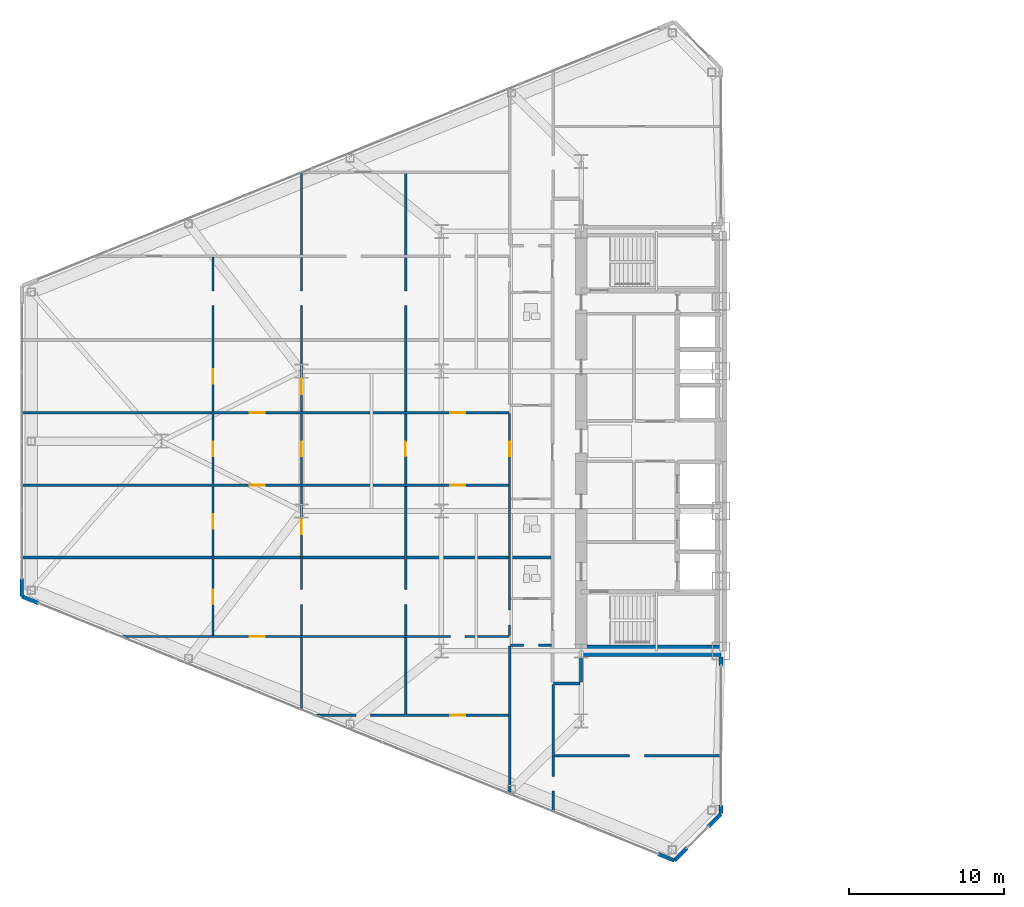
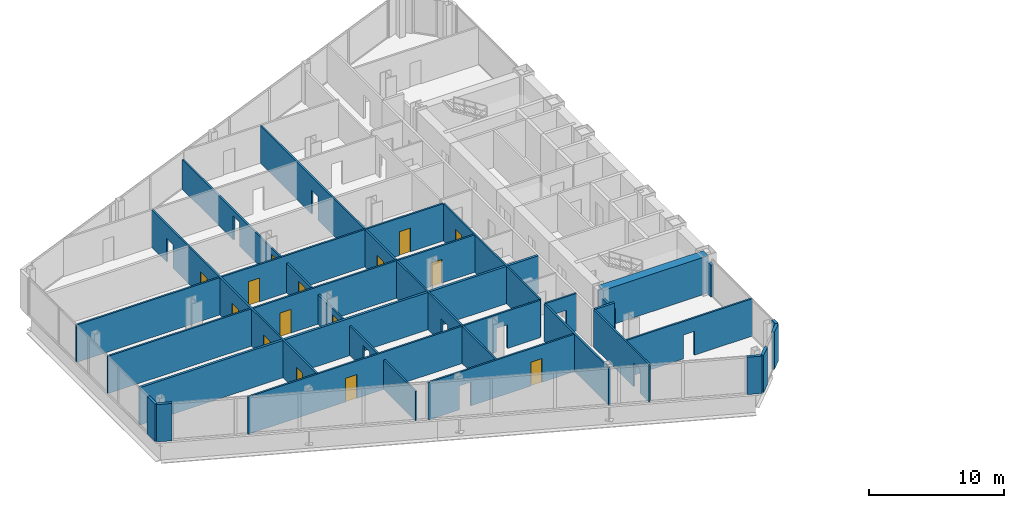
# One storey, part 18 of 26: 23 walls, 15 doors, 26 openings.
"""IFC4 building model written with IfcOpenShell, lengths in metres."""

from ifc_helpers import new_model, si_unit, direction, frame, frame_2d, origin, place, context, subcontext, project, spatial, rectangle, extrude, source, transform, mapped, material, layer, layer_set, type_object, type_shapes, element, fill, save


model = new_model("IFC4")

# Units and contexts
model_context = context("Model", 3, precision=1e-05, world=origin(), true_north=direction((0.0, 1.0)))
body_context = subcontext(model_context, "Body", "Model", "MODEL_VIEW")
ifc_project = project(units=[si_unit("LENGTHUNIT", "METRE"), si_unit("AREAUNIT", "SQUARE_METRE"), si_unit("VOLUMEUNIT", "CUBIC_METRE"), si_unit("PLANEANGLEUNIT", "RADIAN"), si_unit("MASSUNIT", "GRAM", prefix="KILO")], contexts=[model_context])

# Site, building, storey
site_placement = place(None, origin())
site = spatial("IfcSite", under=ifc_project, at=site_placement, CompositionType="ELEMENT")
building_placement = place(site_placement, origin())
building = spatial("IfcBuilding", under=site, at=building_placement, Name="Seokmaru Belvedere", CompositionType="ELEMENT")
storey_placement = place(building_placement, frame((0.0, 0.0, 18.89990234375)))
storey = spatial("IfcBuildingStorey", under=building, at=storey_placement, Name="L04", CompositionType="ELEMENT", Elevation=18.89990234375)

# Wall, opening
ifc_material_1 = material(Name="Fire-Rated Gypsum Shaftwall")
ifc_layer_1 = layer(ifc_material_1, 0.14990234375)
ifc_layer_set_1 = layer_set([ifc_layer_1], Name="Fire-Rated Gypsum Shaftwall")
wall_type_1 = type_object("IfcWallType", Name="Apartment Fire-Acoustic Room Partition 150", PredefinedType="PARTITIONING", material=ifc_layer_set_1)
wall_1_placement = place(storey_placement, frame((-38.25, -20.25, 0.0), z_axis=(0.0, 0.0, 1.0), x_axis=(1.0, 0.0, 0.0)))
wall_1 = element("IfcWall", 1, at=wall_1_placement, inside=storey, type_object=wall_type_1, Name="L04 Interior Partition 001", PredefinedType="PARTITIONING", context=body_context, shape_type="SweptSolid", body=[
    extrude(rectangle(XDim=10.784912109375, YDim=0.14990234375, at=frame_2d((5.392578125, 0.0))), origin(), (0.0, 0.0, 1.0), 3.380126953125),
])
opening_1_placement = place(wall_1_placement, frame((4.875, 0.0, 0.0)))
element("IfcOpeningElement", 2, at=opening_1_placement, cuts=wall_1, Name="L04 Cased Opening 013", PredefinedType="OPENING", context=body_context, shape_type="SweptSolid", body=[
    extrude(rectangle(XDim=0.949951171875, YDim=2.14990234375, at=frame_2d((0.47509765625, 1.074951171875))), frame((0.0, 0.0849609375, 0.0), z_axis=(0.0, -1.0, 0.0), x_axis=(1.0, 0.0, 0.0)), (0.0, 0.0, 1.0), 0.169921875),
])

# Wall, openings, door
wall_2_placement = place(storey_placement, frame((-53.659912109375, -17.639892578125, 0.0), z_axis=(0.0, 0.0, 1.0), x_axis=(1.0, 0.0, 0.0)))
wall_2 = element("IfcWall", 3, at=wall_2_placement, inside=storey, type_object=wall_type_1, Name="L04 Interior Partition 003", PredefinedType="PARTITIONING", context=body_context, shape_type="SweptSolid", body=[
    extrude(rectangle(XDim=12.510009765625, YDim=0.14990234375, at=frame_2d((6.2548828125, 0.0))), origin(), (0.0, 0.0, 1.0), 3.380126953125),
])
opening_2_placement = place(wall_2_placement, frame((8.735107421875, 0.0, 0.0)))
opening_2 = element("IfcOpeningElement", 4, at=opening_2_placement, cuts=wall_2, Name="Opening D05", PredefinedType="OPENING", context=body_context, shape_type="SweptSolid", body=[
    extrude(rectangle(XDim=0.949951171875, YDim=2.14990234375, at=frame_2d((0.47509765625, 1.074951171875))), frame((0.0, 0.0849609375, 0.0), z_axis=(0.0, -1.0, 0.0), x_axis=(1.0, 0.0, 0.0)), (0.0, 0.0, 1.0), 0.169921875),
])
opening_3_placement = place(wall_2_placement, frame((2.658935546875, 0.0, 0.0)))
element("IfcOpeningElement", 5, at=opening_3_placement, cuts=wall_2, Name="L04 Cased Opening 011", PredefinedType="OPENING", context=body_context, shape_type="SweptSolid", body=[
    extrude(rectangle(XDim=0.949951171875, YDim=2.14990234375, at=frame_2d((0.47509765625, 1.074951171875))), frame((0.0, 0.0849609375, 0.0), z_axis=(0.0, -1.0, 0.0), x_axis=(1.0, 0.0, 0.0)), (0.0, 0.0, 1.0), 0.169921875),
])
ifc_material_2 = material(Name="Engineered White Oak Timber", Category="wood")
door_type = type_object("IfcDoorType", Name="Apartment Interior Fire-Rated Oak Door 950x2150", OperationType="NOTDEFINED", PredefinedType="DOOR", material=ifc_material_2)
shared_shape = source(origin(), body_context, "Body", "SweptSolid", [
    extrude(rectangle(XDim=0.949951171875, YDim=2.14990234375, at=frame_2d((0.47509765625, 1.074951171875))), frame((0.0, 0.02490234375, 0.0), z_axis=(0.0, -1.0, 0.0), x_axis=(1.0, 0.0, 0.0)), (0.0, 0.0, 1.0), 0.050048828125),
])
type_shapes(door_type, [shared_shape])
door_1_placement = place(opening_2_placement, origin())
door_1 = element("IfcDoor", 6, at=door_1_placement, inside=storey, type_object=door_type, Name="L04 Interior Door 010", OperationType="SINGLE_SWING_LEFT", OverallHeight=2.14990234375, OverallWidth=0.949951171875, PredefinedType="DOOR", context=body_context, shape_type="MappedRepresentation", body=[
    mapped(shared_shape, transform((0.0, 0.0, 0.0), scale=1.0)),
])
fill(opening_2, door_1)

# Wall, opening
wall_3_placement = place(storey_placement, frame((-41.050048828125, -13.139892578125, 0.0), z_axis=(0.0, 0.0, 1.0), x_axis=(1.0, 0.0, 0.0)))
wall_3 = element("IfcWall", 7, at=wall_3_placement, inside=storey, type_object=wall_type_1, Name="L04 Interior Partition 009", PredefinedType="PARTITIONING", context=body_context, shape_type="SweptSolid", body=[
    extrude(rectangle(XDim=2.650146484375, YDim=0.14990234375, at=frame_2d((1.3251953125, 0.0))), origin(), (0.0, 0.0, 1.0), 3.380126953125),
])
opening_4_placement = place(wall_3_placement, frame((0.85009765625, 0.0, 0.0)))
element("IfcOpeningElement", 8, at=opening_4_placement, cuts=wall_3, Name="L04 Cased Opening 003", PredefinedType="OPENING", context=body_context, shape_type="SweptSolid", body=[
    extrude(rectangle(XDim=0.949951171875, YDim=2.14990234375, at=frame_2d((0.47509765625, 1.074951171875))), frame((0.0, 0.0849609375, 0.0), z_axis=(0.0, -1.0, 0.0), x_axis=(1.0, 0.0, 0.0)), (0.0, 0.0, 1.0), 0.169921875),
])

# Wall, openings, door
wall_4_placement = place(storey_placement, frame((-66.18603515625, -12.570068359375, 0.0), z_axis=(0.0, 0.0, 1.0), x_axis=(1.0, 0.0, 0.0)))
wall_4 = element("IfcWall", 9, at=wall_4_placement, inside=storey, type_object=wall_type_1, Name="L04 Interior Partition 010", PredefinedType="PARTITIONING", context=body_context, shape_type="SweptSolid", body=[
    extrude(rectangle(XDim=25.0361328125, YDim=0.14990234375, at=frame_2d((12.51806640625, 0.0))), origin(), (0.0, 0.0, 1.0), 3.380126953125),
])
opening_5_placement = place(wall_4_placement, frame((21.260986328125, 0.0, 0.0)))
element("IfcOpeningElement", 10, at=opening_5_placement, cuts=wall_4, Name="L04 Cased Opening 005", PredefinedType="OPENING", context=body_context, shape_type="SweptSolid", body=[
    extrude(rectangle(XDim=0.949951171875, YDim=2.14990234375, at=frame_2d((0.47509765625, 1.074951171875))), frame((0.0, 0.0849609375, 0.0), z_axis=(0.0, -1.0, 0.0), x_axis=(1.0, 0.0, 0.0)), (0.0, 0.0, 1.0), 0.169921875),
])
opening_6_placement = place(wall_4_placement, frame((8.361083984375, 0.0, 0.0)))
opening_6 = element("IfcOpeningElement", 11, at=opening_6_placement, cuts=wall_4, Name="Opening D05", PredefinedType="OPENING", context=body_context, shape_type="SweptSolid", body=[
    extrude(rectangle(XDim=0.949951171875, YDim=2.14990234375, at=frame_2d((0.47509765625, 1.074951171875))), frame((0.0, 0.0849609375, 0.0), z_axis=(0.0, -1.0, 0.0), x_axis=(1.0, 0.0, 0.0)), (0.0, 0.0, 1.0), 0.169921875),
])
door_2_placement = place(opening_6_placement, origin())
door_2 = element("IfcDoor", 12, at=door_2_placement, inside=storey, type_object=door_type, Name="L04 Interior Door 008", OperationType="SINGLE_SWING_LEFT", OverallHeight=2.14990234375, OverallWidth=0.949951171875, PredefinedType="DOOR", context=body_context, shape_type="MappedRepresentation", body=[
    mapped(shared_shape, transform((0.0, 0.0, 0.0), scale=1.0)),
])
fill(opening_6, door_2)

# Wall, openings, doors
wall_5_placement = place(storey_placement, frame((-72.534912109375, -2.830078125, 0.0), z_axis=(0.0, 0.0, 1.0), x_axis=(1.0, 0.0, 0.0)))
wall_5 = element("IfcWall", 13, at=wall_5_placement, inside=storey, type_object=wall_type_1, Name="L04 Interior Partition 018", PredefinedType="PARTITIONING", context=body_context, shape_type="SweptSolid", body=[
    extrude(rectangle(XDim=31.385009765625, YDim=0.14990234375, at=frame_2d((15.6923828125, 0.0))), origin(), (0.0, 0.0, 1.0), 3.380126953125),
])
opening_7_placement = place(wall_5_placement, frame((27.610107421875, 0.0, 0.0)))
opening_7 = element("IfcOpeningElement", 14, at=opening_7_placement, cuts=wall_5, Name="Opening D05", PredefinedType="OPENING", context=body_context, shape_type="SweptSolid", body=[
    extrude(rectangle(XDim=0.949951171875, YDim=2.14990234375, at=frame_2d((0.47509765625, 1.074951171875))), frame((0.0, 0.0849609375, 0.0), z_axis=(0.0, -1.0, 0.0), x_axis=(1.0, 0.0, 0.0)), (0.0, 0.0, 1.0), 0.169921875),
])
opening_8_placement = place(wall_5_placement, frame((14.7099609375, 0.0, 0.0)))
opening_8 = element("IfcOpeningElement", 15, at=opening_8_placement, cuts=wall_5, Name="Opening D05", PredefinedType="OPENING", context=body_context, shape_type="SweptSolid", body=[
    extrude(rectangle(XDim=0.949951171875, YDim=2.14990234375, at=frame_2d((0.47509765625, 1.074951171875))), frame((0.0, 0.0849609375, 0.0), z_axis=(0.0, -1.0, 0.0), x_axis=(1.0, 0.0, 0.0)), (0.0, 0.0, 1.0), 0.169921875),
])
door_3_placement = place(opening_7_placement, origin())
door_3 = element("IfcDoor", 16, at=door_3_placement, inside=storey, type_object=door_type, Name="L04 Interior Door 018", OperationType="SINGLE_SWING_LEFT", OverallHeight=2.14990234375, OverallWidth=0.949951171875, PredefinedType="DOOR", context=body_context, shape_type="MappedRepresentation", body=[
    mapped(shared_shape, transform((0.0, 0.0, 0.0), scale=1.0)),
])
fill(opening_7, door_3)
door_4_placement = place(opening_8_placement, origin())
door_4 = element("IfcDoor", 17, at=door_4_placement, inside=storey, type_object=door_type, Name="L04 Interior Door 022", OperationType="SINGLE_SWING_LEFT", OverallHeight=2.14990234375, OverallWidth=0.949951171875, PredefinedType="DOOR", context=body_context, shape_type="MappedRepresentation", body=[
    mapped(shared_shape, transform((0.0, 0.0, 0.0), scale=1.0)),
])
fill(opening_8, door_4)

wall_6_placement = place(storey_placement, frame((-72.534912109375, 1.830078125, 0.0), z_axis=(0.0, 0.0, 1.0), x_axis=(1.0, 0.0, 0.0)))
wall_6 = element("IfcWall", 18, at=wall_6_placement, inside=storey, type_object=wall_type_1, Name="L04 Interior Partition 021", PredefinedType="PARTITIONING", context=body_context, shape_type="SweptSolid", body=[
    extrude(rectangle(XDim=31.385009765625, YDim=0.14990234375, at=frame_2d((15.6923828125, 0.0))), origin(), (0.0, 0.0, 1.0), 3.380126953125),
])
opening_9_placement = place(wall_6_placement, frame((27.610107421875, 0.0, 0.0)))
opening_9 = element("IfcOpeningElement", 19, at=opening_9_placement, cuts=wall_6, Name="Opening D05", PredefinedType="OPENING", context=body_context, shape_type="SweptSolid", body=[
    extrude(rectangle(XDim=0.949951171875, YDim=2.14990234375, at=frame_2d((0.47509765625, 1.074951171875))), frame((0.0, 0.0849609375, 0.0), z_axis=(0.0, -1.0, 0.0), x_axis=(1.0, 0.0, 0.0)), (0.0, 0.0, 1.0), 0.169921875),
])
opening_10_placement = place(wall_6_placement, frame((14.7099609375, 0.0, 0.0)))
opening_10 = element("IfcOpeningElement", 20, at=opening_10_placement, cuts=wall_6, Name="Opening D05", PredefinedType="OPENING", context=body_context, shape_type="SweptSolid", body=[
    extrude(rectangle(XDim=0.949951171875, YDim=2.14990234375, at=frame_2d((0.47509765625, 1.074951171875))), frame((0.0, 0.0849609375, 0.0), z_axis=(0.0, -1.0, 0.0), x_axis=(1.0, 0.0, 0.0)), (0.0, 0.0, 1.0), 0.169921875),
])
door_5_placement = place(opening_9_placement, origin())
door_5 = element("IfcDoor", 21, at=door_5_placement, inside=storey, type_object=door_type, Name="L04 Interior Door 020", OperationType="SINGLE_SWING_RIGHT", OverallHeight=2.14990234375, OverallWidth=0.949951171875, PredefinedType="DOOR", context=body_context, shape_type="MappedRepresentation", body=[
    mapped(shared_shape, transform((0.0, 0.0, 0.0), scale=1.0)),
])
fill(opening_9, door_5)
door_6_placement = place(opening_10_placement, origin())
door_6 = element("IfcDoor", 22, at=door_6_placement, inside=storey, type_object=door_type, Name="L04 Interior Door 025", OperationType="SINGLE_SWING_LEFT", OverallHeight=2.14990234375, OverallWidth=0.949951171875, PredefinedType="DOOR", context=body_context, shape_type="MappedRepresentation", body=[
    mapped(shared_shape, transform((0.0, 0.0, 0.0), scale=1.0)),
])
fill(opening_10, door_6)

wall_7_placement = place(storey_placement, frame((-60.199951171875, -12.52001953125, 0.0), z_axis=(0.0, 0.0, 1.0), x_axis=(0.0, 1.0, 0.0)))
wall_7 = element("IfcWall", 23, at=wall_7_placement, inside=storey, type_object=wall_type_1, Name="L04 Interior Partition 038", PredefinedType="PARTITIONING", context=body_context, shape_type="SweptSolid", body=[
    extrude(rectangle(XDim=24.373046875, YDim=0.14990234375, at=frame_2d((12.1865234375, 0.0))), origin(), (0.0, 0.0, 1.0), 3.380126953125),
])
opening_11_placement = place(wall_7_placement, frame((2.010009765625, 0.0, 0.0)))
opening_11 = element("IfcOpeningElement", 24, at=opening_11_placement, cuts=wall_7, Name="Opening D05", PredefinedType="OPENING", context=body_context, shape_type="SweptSolid", body=[
    extrude(rectangle(XDim=0.949951171875, YDim=2.14990234375, at=frame_2d((0.47509765625, 1.074951171875))), frame((0.0, 0.0849609375, 0.0), z_axis=(0.0, -1.0, 0.0), x_axis=(1.0, 0.0, 0.0)), (0.0, 0.0, 1.0), 0.169921875),
])
opening_12_placement = place(wall_7_placement, frame((6.87841796875, 0.0, 0.0)))
opening_12 = element("IfcOpeningElement", 25, at=opening_12_placement, cuts=wall_7, Name="Opening D05", PredefinedType="OPENING", context=body_context, shape_type="SweptSolid", body=[
    extrude(rectangle(XDim=0.949951171875, YDim=2.14990234375, at=frame_2d((0.47509765625, 1.074951171875))), frame((0.0, 0.0849609375, 0.0), z_axis=(0.0, -1.0, 0.0), x_axis=(1.0, 0.0, 0.0)), (0.0, 0.0, 1.0), 0.169921875),
])
opening_13_placement = place(wall_7_placement, frame((11.544921875, 0.0, 0.0)))
opening_13 = element("IfcOpeningElement", 26, at=opening_13_placement, cuts=wall_7, Name="Opening D05", PredefinedType="OPENING", context=body_context, shape_type="SweptSolid", body=[
    extrude(rectangle(XDim=0.949951171875, YDim=2.14990234375, at=frame_2d((0.47509765625, 1.074951171875))), frame((0.0, 0.0849609375, 0.0), z_axis=(0.0, -1.0, 0.0), x_axis=(1.0, 0.0, 0.0)), (0.0, 0.0, 1.0), 0.169921875),
])
opening_14_placement = place(wall_7_placement, frame((16.211669921875, 0.0, 0.0)))
opening_14 = element("IfcOpeningElement", 27, at=opening_14_placement, cuts=wall_7, Name="Opening D05", PredefinedType="OPENING", context=body_context, shape_type="SweptSolid", body=[
    extrude(rectangle(XDim=0.949951171875, YDim=2.14990234375, at=frame_2d((0.47509765625, 1.074951171875))), frame((0.0, 0.0849609375, 0.0), z_axis=(0.0, -1.0, 0.0), x_axis=(1.0, 0.0, 0.0)), (0.0, 0.0, 1.0), 0.169921875),
])
opening_15_placement = place(wall_7_placement, frame((21.24658203125, 0.0, 0.0)))
element("IfcOpeningElement", 28, at=opening_15_placement, cuts=wall_7, Name="L04 Cased Opening 036", PredefinedType="OPENING", context=body_context, shape_type="SweptSolid", body=[
    extrude(rectangle(XDim=0.949951171875, YDim=2.14990234375, at=frame_2d((0.47509765625, 1.074951171875))), frame((0.0, 0.0849609375, 0.0), z_axis=(0.0, -1.0, 0.0), x_axis=(1.0, 0.0, 0.0)), (0.0, 0.0, 1.0), 0.169921875),
])
door_7_placement = place(opening_11_placement, origin())
door_7 = element("IfcDoor", 29, at=door_7_placement, inside=storey, type_object=door_type, Name="L04 Interior Door 009", OperationType="SINGLE_SWING_RIGHT", OverallHeight=2.14990234375, OverallWidth=0.949951171875, PredefinedType="DOOR", context=body_context, shape_type="MappedRepresentation", body=[
    mapped(shared_shape, transform((0.0, 0.0, 0.0), scale=1.0)),
])
fill(opening_11, door_7)
door_8_placement = place(opening_12_placement, origin())
door_8 = element("IfcDoor", 30, at=door_8_placement, inside=storey, type_object=door_type, Name="L04 Interior Door 023", OperationType="SINGLE_SWING_RIGHT", OverallHeight=2.14990234375, OverallWidth=0.949951171875, PredefinedType="DOOR", context=body_context, shape_type="MappedRepresentation", body=[
    mapped(shared_shape, transform((0.0, 0.0, 0.0), scale=1.0)),
])
fill(opening_12, door_8)
door_9_placement = place(opening_13_placement, origin())
door_9 = element("IfcDoor", 31, at=door_9_placement, inside=storey, type_object=door_type, Name="L04 Interior Door 024", OperationType="SINGLE_SWING_RIGHT", OverallHeight=2.14990234375, OverallWidth=0.949951171875, PredefinedType="DOOR", context=body_context, shape_type="MappedRepresentation", body=[
    mapped(shared_shape, transform((0.0, 0.0, 0.0), scale=1.0)),
])
fill(opening_13, door_9)
door_10_placement = place(opening_14_placement, origin())
door_10 = element("IfcDoor", 32, at=door_10_placement, inside=storey, type_object=door_type, Name="L04 Interior Door 026", OperationType="SINGLE_SWING_RIGHT", OverallHeight=2.14990234375, OverallWidth=0.949951171875, PredefinedType="DOOR", context=body_context, shape_type="MappedRepresentation", body=[
    mapped(shared_shape, transform((0.0, 0.0, 0.0), scale=1.0)),
])
fill(opening_14, door_10)

wall_8_placement = place(storey_placement, frame((-54.5, -17.321044921875, 0.0), z_axis=(0.0, 0.0, 1.0), x_axis=(0.0, 1.0, 0.0)))
wall_8 = element("IfcWall", 33, at=wall_8_placement, inside=storey, type_object=wall_type_1, Name="L04 Interior Partition 039", PredefinedType="PARTITIONING", context=body_context, shape_type="SweptSolid", body=[
    extrude(rectangle(XDim=34.55712890625, YDim=0.14990234375, at=frame_2d((17.278564453125, 0.0))), origin(), (0.0, 0.0, 1.0), 2.68017578125),
])
opening_16_placement = place(wall_8_placement, frame((6.81103515625, 0.0, 0.0)))
element("IfcOpeningElement", 34, at=opening_16_placement, cuts=wall_8, Name="L04 Cased Opening 007", PredefinedType="OPENING", context=body_context, shape_type="SweptSolid", body=[
    extrude(rectangle(XDim=0.949951171875, YDim=2.14990234375, at=frame_2d((0.47509765625, 1.074951171875))), frame((0.0, 0.0849609375, 0.0), z_axis=(0.0, -1.0, 0.0), x_axis=(1.0, 0.0, 0.0)), (0.0, 0.0, 1.0), 0.169921875),
])
opening_17_placement = place(wall_8_placement, frame((16.345947265625, 0.0, 0.0)))
opening_17 = element("IfcOpeningElement", 35, at=opening_17_placement, cuts=wall_8, Name="Opening D05", PredefinedType="OPENING", context=body_context, shape_type="SweptSolid", body=[
    extrude(rectangle(XDim=0.949951171875, YDim=2.14990234375, at=frame_2d((0.47509765625, 1.074951171875))), frame((0.0, 0.0849609375, 0.0), z_axis=(0.0, -1.0, 0.0), x_axis=(1.0, 0.0, 0.0)), (0.0, 0.0, 1.0), 0.169921875),
])
opening_18_placement = place(wall_8_placement, frame((11.312255859375, 0.0, 0.0)))
opening_18 = element("IfcOpeningElement", 36, at=opening_18_placement, cuts=wall_8, Name="Opening D05", PredefinedType="OPENING", context=body_context, shape_type="SweptSolid", body=[
    extrude(rectangle(XDim=0.949951171875, YDim=2.14990234375, at=frame_2d((0.47509765625, 1.074951171875))), frame((0.0, 0.0849609375, 0.0), z_axis=(0.0, -1.0, 0.0), x_axis=(1.0, 0.0, 0.0)), (0.0, 0.0, 1.0), 0.169921875),
])
opening_19_placement = place(wall_8_placement, frame((20.351806640625, 0.0, 0.0)))
opening_19 = element("IfcOpeningElement", 37, at=opening_19_placement, cuts=wall_8, Name="Opening D05", PredefinedType="OPENING", context=body_context, shape_type="SweptSolid", body=[
    extrude(rectangle(XDim=0.949951171875, YDim=2.14990234375, at=frame_2d((0.47509765625, 1.074951171875))), frame((0.0, 0.0849609375, 0.0), z_axis=(0.0, -1.0, 0.0), x_axis=(1.0, 0.0, 0.0)), (0.0, 0.0, 1.0), 0.169921875),
])
opening_20_placement = place(wall_8_placement, frame((26.047607421875, 0.0, 0.0)))
element("IfcOpeningElement", 38, at=opening_20_placement, cuts=wall_8, Name="L04 Cased Opening 035", PredefinedType="OPENING", context=body_context, shape_type="SweptSolid", body=[
    extrude(rectangle(XDim=0.949951171875, YDim=2.14990234375, at=frame_2d((0.47509765625, 1.074951171875))), frame((0.0, 0.0849609375, 0.0), z_axis=(0.0, -1.0, 0.0), x_axis=(1.0, 0.0, 0.0)), (0.0, 0.0, 1.0), 0.169921875),
])
door_11_placement = place(opening_17_placement, origin())
door_11 = element("IfcDoor", 39, at=door_11_placement, inside=storey, type_object=door_type, Name="L04 Interior Door 021", OperationType="SINGLE_SWING_RIGHT", OverallHeight=2.14990234375, OverallWidth=0.949951171875, PredefinedType="DOOR", context=body_context, shape_type="MappedRepresentation", body=[
    mapped(shared_shape, transform((0.0, 0.0, 0.0), scale=1.0)),
])
fill(opening_17, door_11)
door_12_placement = place(opening_18_placement, origin())
door_12 = element("IfcDoor", 40, at=door_12_placement, inside=storey, type_object=door_type, Name="L04 Interior Door 027", OperationType="SINGLE_SWING_RIGHT", OverallHeight=2.14990234375, OverallWidth=0.949951171875, PredefinedType="DOOR", context=body_context, shape_type="MappedRepresentation", body=[
    mapped(shared_shape, transform((0.0, 0.0, 0.0), scale=1.0)),
])
fill(opening_18, door_12)
door_13_placement = place(opening_19_placement, origin())
door_13 = element("IfcDoor", 41, at=door_13_placement, inside=storey, type_object=door_type, Name="L04 Interior Door 028", OperationType="SINGLE_SWING_LEFT", OverallHeight=2.14990234375, OverallWidth=0.949951171875, PredefinedType="DOOR", context=body_context, shape_type="MappedRepresentation", body=[
    mapped(shared_shape, transform((0.0, 0.0, 0.0), scale=1.0)),
])
fill(opening_19, door_13)

# Wall, openings, door
wall_9_placement = place(storey_placement, frame((-47.800048828125, -17.590087890625, 0.0), z_axis=(0.0, 0.0, 1.0), x_axis=(0.0, 1.0, 0.0)))
wall_9 = element("IfcWall", 42, at=wall_9_placement, inside=storey, type_object=wall_type_1, Name="L04 Interior Partition 040", PredefinedType="PARTITIONING", context=body_context, shape_type="SweptSolid", body=[
    extrude(rectangle(XDim=34.84619140625, YDim=0.14990234375, at=frame_2d((17.423095703125, 0.0))), origin(), (0.0, 0.0, 1.0), 3.380126953125),
])
opening_21_placement = place(wall_9_placement, frame((7.080078125, 0.0, 0.0)))
element("IfcOpeningElement", 43, at=opening_21_placement, cuts=wall_9, Name="L04 Cased Opening 006", PredefinedType="OPENING", context=body_context, shape_type="SweptSolid", body=[
    extrude(rectangle(XDim=0.949951171875, YDim=2.14990234375, at=frame_2d((0.47509765625, 1.074951171875))), frame((0.0, 0.0849609375, 0.0), z_axis=(0.0, -1.0, 0.0), x_axis=(1.0, 0.0, 0.0)), (0.0, 0.0, 1.0), 0.169921875),
])
opening_22_placement = place(wall_9_placement, frame((16.614990234375, 0.0, 0.0)))
opening_22 = element("IfcOpeningElement", 44, at=opening_22_placement, cuts=wall_9, Name="Opening D05", PredefinedType="OPENING", context=body_context, shape_type="SweptSolid", body=[
    extrude(rectangle(XDim=0.949951171875, YDim=2.14990234375, at=frame_2d((0.47509765625, 1.074951171875))), frame((0.0, 0.0849609375, 0.0), z_axis=(0.0, -1.0, 0.0), x_axis=(1.0, 0.0, 0.0)), (0.0, 0.0, 1.0), 0.169921875),
])
opening_23_placement = place(wall_9_placement, frame((26.316650390625, 0.0, 0.0)))
element("IfcOpeningElement", 45, at=opening_23_placement, cuts=wall_9, Name="L04 Cased Opening 033", PredefinedType="OPENING", context=body_context, shape_type="SweptSolid", body=[
    extrude(rectangle(XDim=0.949951171875, YDim=2.14990234375, at=frame_2d((0.47509765625, 1.074951171875))), frame((0.0, 0.0849609375, 0.0), z_axis=(0.0, -1.0, 0.0), x_axis=(1.0, 0.0, 0.0)), (0.0, 0.0, 1.0), 0.169921875),
])
door_14_placement = place(opening_22_placement, origin())
door_14 = element("IfcDoor", 46, at=door_14_placement, inside=storey, type_object=door_type, Name="L04 Interior Door 019", OperationType="SINGLE_SWING_RIGHT", OverallHeight=2.14990234375, OverallWidth=0.949951171875, PredefinedType="DOOR", context=body_context, shape_type="MappedRepresentation", body=[
    mapped(shared_shape, transform((0.0, 0.0, 0.0), scale=1.0)),
])
fill(opening_22, door_14)

# Wall
wall_10_placement = place(storey_placement, frame((-41.10009765625, -22.743896484375, 0.0), z_axis=(0.0, 0.0, 1.0), x_axis=(0.0, 1.0, 0.0)))
element("IfcWall", 47, at=wall_10_placement, inside=storey, type_object=wall_type_1, Name="L04 Interior Partition 041", PredefinedType="PARTITIONING", context=body_context, shape_type="SweptSolid", body=[
    extrude(rectangle(XDim=9.548828125, YDim=0.14990234375, at=frame_2d((4.7744140625, 0.0))), origin(), (0.0, 0.0, 1.0), 3.380126953125),
])

# Wall, opening
wall_11_placement = place(storey_placement, frame((-38.300048828125, -23.8779296875, 0.0), z_axis=(0.0, 0.0, 1.0), x_axis=(0.0, 1.0, 0.0)))
wall_11 = element("IfcWall", 48, at=wall_11_placement, inside=storey, type_object=wall_type_1, Name="L04 Interior Partition 046", PredefinedType="PARTITIONING", context=body_context, shape_type="SweptSolid", body=[
    extrude(rectangle(XDim=8.22802734375, YDim=0.14990234375, at=frame_2d((4.114013671875, 0.0))), origin(), (0.0, 0.0, 1.0), 3.380126953125),
])
opening_24_placement = place(wall_11_placement, frame((1.356689453125, 0.0, 0.0)))
element("IfcOpeningElement", 49, at=opening_24_placement, cuts=wall_11, Name="L04 Cased Opening 012", PredefinedType="OPENING", context=body_context, shape_type="SweptSolid", body=[
    extrude(rectangle(XDim=0.949951171875, YDim=2.14990234375, at=frame_2d((0.47509765625, 1.074951171875))), frame((0.0, 0.0849609375, 0.0), z_axis=(0.0, -1.0, 0.0), x_axis=(1.0, 0.0, 0.0)), (0.0, 0.0, 1.0), 0.169921875),
])

# Walls
ifc_layer_2 = layer(ifc_material_1, 0.199951171875)
ifc_layer_set_2 = layer_set([ifc_layer_2], Name="Fire-Rated Gypsum Shaftwall")
wall_type_2 = type_object("IfcWallType", Name="Inter-Tenancy Fire Compartment Partition 200", PredefinedType="PARTITIONING", material=ifc_layer_set_2)
wall_12_placement = place(storey_placement, frame((-38.264892578125, -15.60009765625, 0.0), z_axis=(0.0, 0.0, 1.0), x_axis=(1.0, 0.0, 0.0)))
element("IfcWall", 50, at=wall_12_placement, inside=storey, type_object=wall_type_2, Name="L04 Interior Partition 005", PredefinedType="PARTITIONING", context=body_context, shape_type="SweptSolid", body=[
    extrude(rectangle(XDim=1.679931640625, YDim=0.199951171875, at=frame_2d((0.83984375, 0.0))), origin(), (0.0, 0.0, 1.0), 3.380126953125),
])
wall_13_placement = place(storey_placement, frame((-72.5048828125, -7.5, 0.0), z_axis=(0.0, 0.0, 1.0), x_axis=(1.0, 0.0, 0.0)))
element("IfcWall", 51, at=wall_13_placement, inside=storey, type_object=wall_type_2, Name="L04 Interior Partition 014", PredefinedType="PARTITIONING", context=body_context, shape_type="SweptSolid", body=[
    extrude(rectangle(XDim=34.074951171875, YDim=0.199951171875, at=frame_2d((17.03759765625, 0.0))), origin(), (0.0, 0.0, 1.0), 3.380126953125),
])
wall_14_placement = place(storey_placement, frame((-36.5, -15.514892578125, 0.0), z_axis=(0.0, 0.0, 1.0), x_axis=(0.0, 1.0, 0.0)))
element("IfcWall", 52, at=wall_14_placement, inside=storey, type_object=wall_type_2, Name="L04 Interior Partition 048", PredefinedType="PARTITIONING", context=body_context, shape_type="SweptSolid", body=[
    extrude(rectangle(XDim=1.635009765625, YDim=0.199951171875, at=frame_2d((0.8173828125, 0.0))), origin(), (0.0, 0.0, 1.0), 2.68017578125),
])
ifc_material_3 = material(Name="Concrete C60 (60 MPa)", Category="concrete")
ifc_layer_3 = layer(ifc_material_3, 0.75)
ifc_layer_set_3 = layer_set([ifc_layer_3], Name="Concrete C60 (60 MPa)")
wall_type_3 = type_object("IfcWallType", Name="Lower Tower Reinforced Concrete Core Wall 750", PredefinedType="SHEAR", material=ifc_layer_set_3)
wall_15_placement = place(storey_placement, frame((-36.5, -13.5, 0.0), z_axis=(0.0, 0.0, 1.0), x_axis=(1.0, 0.0, 0.0)))
element("IfcWall", 53, at=wall_15_placement, inside=storey, type_object=wall_type_3, Name="L04 West South Core Wall", PredefinedType="SHEAR", context=body_context, shape_type="SweptSolid", body=[
    extrude(rectangle(XDim=9.0, YDim=0.75, at=frame_2d((4.5, 0.0))), origin(), (0.0, 0.0, 1.0), 3.380126953125),
])

# Wall, openings, door
ifc_layer_4 = layer(ifc_material_1, 0.1298828125)
ifc_layer_set_4 = layer_set([ifc_layer_4], Name="Fire-Rated Gypsum Shaftwall")
wall_type_4 = type_object("IfcWallType", Name="Moisture-Resistant Fire-Rated Bathroom Partition 130", PredefinedType="PARTITIONING", material=ifc_layer_set_4)
wall_16_placement = place(storey_placement, frame((-41.10009765625, -12.52001953125, 0.0), z_axis=(0.0, 0.0, 1.0), x_axis=(0.0, 1.0, 0.0)))
wall_16 = element("IfcWall", 54, at=wall_16_placement, inside=storey, type_object=wall_type_4, Name="L04 Interior Partition 042", PredefinedType="PARTITIONING", context=body_context, shape_type="SweptSolid", body=[
    extrude(rectangle(XDim=14.302978515625, YDim=0.1298828125, at=frame_2d((7.1513671875, 0.0))), origin(), (0.0, 0.0, 1.0), 3.380126953125),
])
opening_25_placement = place(wall_16_placement, frame((0.6875, 0.0, 0.0)))
element("IfcOpeningElement", 55, at=opening_25_placement, cuts=wall_16, Name="L04 Cased Opening 004", PredefinedType="OPENING", context=body_context, shape_type="SweptSolid", body=[
    extrude(rectangle(XDim=0.949951171875, YDim=2.14990234375, at=frame_2d((0.47509765625, 1.074951171875))), frame((0.0, 0.074951171875, 0.0), z_axis=(0.0, -1.0, 0.0), x_axis=(1.0, 0.0, 0.0)), (0.0, 0.0, 1.0), 0.14990234375),
])
opening_26_placement = place(wall_16_placement, frame((11.544921875, 0.0, 0.0)))
opening_26 = element("IfcOpeningElement", 56, at=opening_26_placement, cuts=wall_16, Name="Opening D05", PredefinedType="OPENING", context=body_context, shape_type="SweptSolid", body=[
    extrude(rectangle(XDim=0.949951171875, YDim=2.14990234375, at=frame_2d((0.47509765625, 1.074951171875))), frame((0.0, 0.074951171875, 0.0), z_axis=(0.0, -1.0, 0.0), x_axis=(1.0, 0.0, 0.0)), (0.0, 0.0, 1.0), 0.14990234375),
])
door_15_placement = place(opening_26_placement, origin())
door_15 = element("IfcDoor", 57, at=door_15_placement, inside=storey, type_object=door_type, Name="L04 Interior Door 017", OperationType="SINGLE_SWING_RIGHT", OverallHeight=2.14990234375, OverallWidth=0.949951171875, PredefinedType="DOOR", context=body_context, shape_type="MappedRepresentation", body=[
    mapped(shared_shape, transform((0.0, 0.0, 0.0), scale=1.0)),
])
fill(opening_26, door_15)

# Walls
ifc_material_4 = material(Name="Anodised Bronze Aluminium", Category="aluminium")
ifc_layer_5 = layer(ifc_material_4, 0.239990234375)
ifc_layer_set_5 = layer_set([ifc_layer_5], Name="Anodised Bronze Aluminium")
wall_type_5 = type_object("IfcWallType", Name="Tower Corner Spandrel Closure Wall 240", PredefinedType="SOLIDWALL", material=ifc_layer_set_5)
wall_17_placement = place(storey_placement, frame((-27.5, -23.97998046875, 0.0), z_axis=(0.0, 0.0, 1.0), x_axis=(0.0, 1.0, 0.0)))
element("IfcWall", 58, at=wall_17_placement, inside=storey, type_object=wall_type_5, Name="L04 W Spine Closure Pier 1A", PredefinedType="SOLIDWALL", context=body_context, shape_type="SweptSolid", body=[
    extrude(rectangle(XDim=0.550048828125, YDim=0.239990234375, at=frame_2d((0.27490234375, 0.0))), origin(), (0.0, 0.0, 1.0), 3.380126953125),
])
wall_18_placement = place(storey_placement, frame((-27.5, -14.429931640625, 0.0), z_axis=(0.0, 0.0, 1.0), x_axis=(0.0, 1.0, 0.0)))
element("IfcWall", 59, at=wall_18_placement, inside=storey, type_object=wall_type_5, Name="L04 W Spine Closure Pier 1B", PredefinedType="SOLIDWALL", context=body_context, shape_type="SweptSolid", body=[
    extrude(rectangle(XDim=0.550048828125, YDim=0.239990234375, at=frame_2d((0.27490234375, 0.0))), origin(), (0.0, 0.0, 1.0), 2.880126953125),
])
for number, where, z_axis, x_axis, name in (
    (60, (-72.5, -8.85009765625, 0.0), (0.0, 0.0, 1.0), (0.0, -1.0, 0.0), "L04 W Corner Closure Pier 4B"),
    (61, (-72.49072265625, -10.00390625, 0.0), (0.0, 0.0, 1.0), (0.927007103665, -0.375043770452, 0.0), "L04 W Corner Closure Pier 5A"),
    (62, (-31.56591796875, -26.568603515625, 0.0), (0.0, 0.0, 1.0), (0.927007103665, -0.375043770452, 0.0), "L04 W Corner Closure Pier 5B"),
):
    element("IfcWall", number, at=place(storey_placement, frame(where, z_axis=z_axis, x_axis=x_axis)), inside=storey, type_object=wall_type_5, Name=name, PredefinedType="SOLIDWALL", context=body_context, shape_type="SweptSolid", body=[
        extrude(rectangle(XDim=1.139892578125, YDim=0.239990234375, at=frame_2d((0.56982421875, 0.0))), origin(), (0.0, 0.0, 1.0), 3.380126953125),
    ])
for number, where, z_axis, x_axis, name in (
    (63, (-30.492919921875, -26.992919921875, 0.0), (0.0, 0.0, 1.0), (0.707106781187, 0.707106781187, 0.0), "L04 W Corner Closure Pier 6A"),
    (64, (-28.313232421875, -24.813232421875, 0.0), (0.0, 0.0, 1.0), (0.707106781187, 0.707106781187, 0.0), "L04 W Corner Closure Pier 6B"),
):
    element("IfcWall", number, at=place(storey_placement, frame(where, z_axis=z_axis, x_axis=x_axis)), inside=storey, type_object=wall_type_5, Name=name, PredefinedType="SOLIDWALL", context=body_context, shape_type="SweptSolid", body=[
        extrude(rectangle(XDim=1.14013671875, YDim=0.239990234375, at=frame_2d((0.570068359375, 0.0))), origin(), (0.0, 0.0, 1.0), 3.380126953125),
    ])

save(model, "model.ifc")
